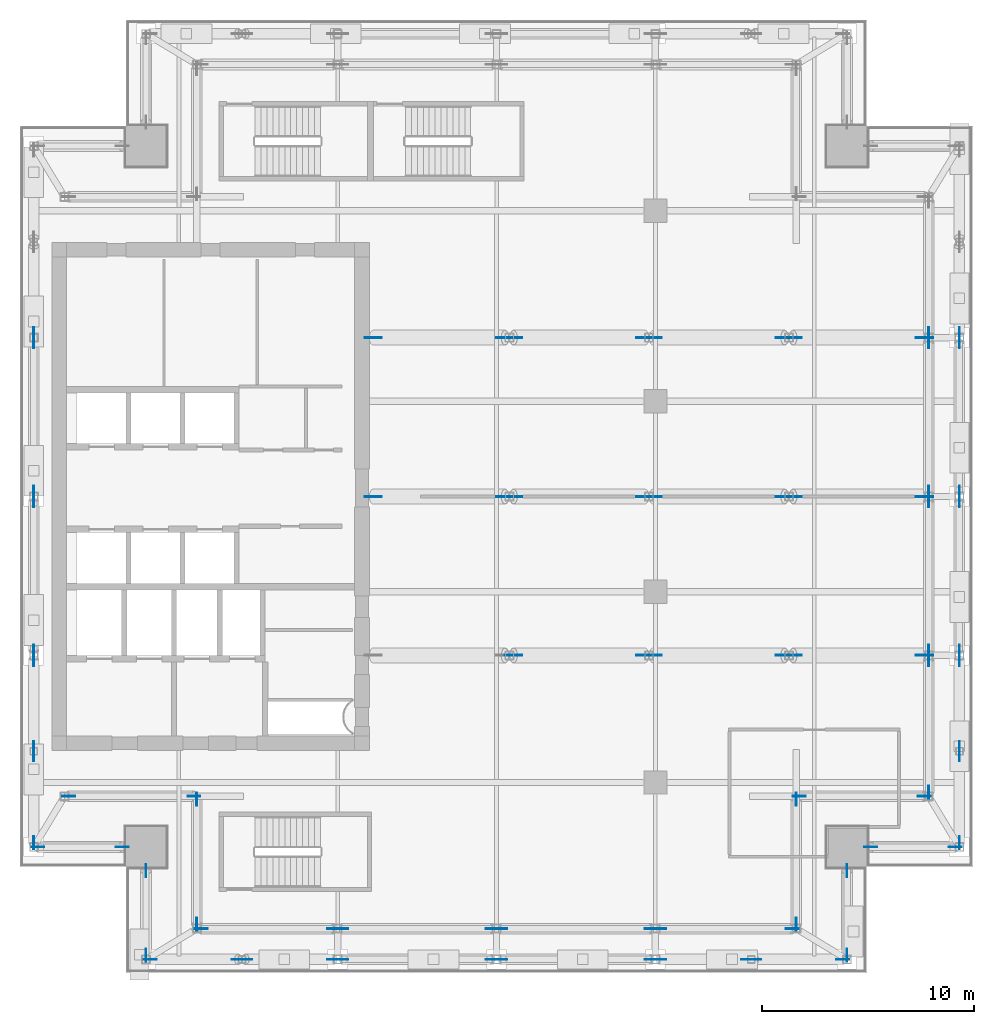
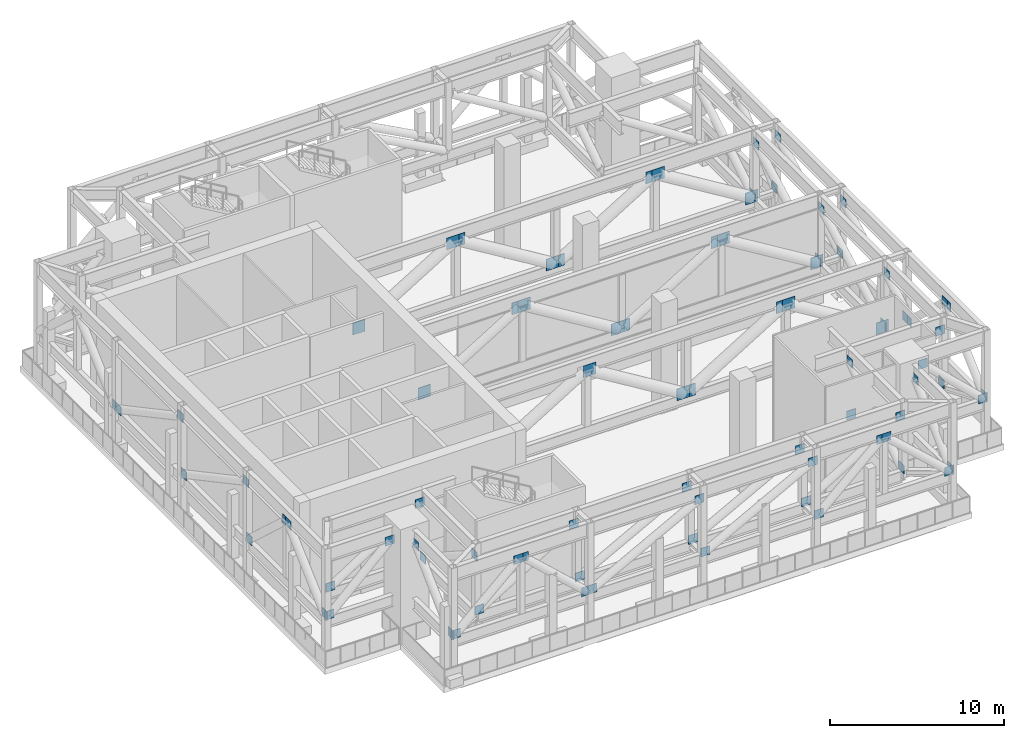
# One storey, part 10 of 15: 83 discrete accessories.
"""IFC4 building model written with IfcOpenShell, lengths in metres."""

from ifc_helpers import new_model, si_unit, direction, frame, origin, origin_2d, place, context, subcontext, project, spatial, rectangle, extrude, source, transform, mapped, material, layer, layer_set, type_object, element, save


model = new_model("IFC4")

# Units and contexts
model_context = context("Model", 3, precision=1e-05, world=origin(), true_north=direction((0.0, 1.0)))
body_context = subcontext(model_context, "Body", "Model", "MODEL_VIEW")
ifc_project = project(units=[si_unit("LENGTHUNIT", "METRE"), si_unit("AREAUNIT", "SQUARE_METRE"), si_unit("VOLUMEUNIT", "CUBIC_METRE"), si_unit("PLANEANGLEUNIT", "RADIAN"), si_unit("MASSUNIT", "GRAM", prefix="KILO")], contexts=[model_context])

# Site, building, storey
site_placement = place(None, origin())
site = spatial("IfcSite", under=ifc_project, at=site_placement, CompositionType="ELEMENT")
building_placement = place(site_placement, origin())
building = spatial("IfcBuilding", under=site, at=building_placement, Name="Khomas Fold Tower", CompositionType="ELEMENT")
storey_placement = place(building_placement, frame((0.0, 0.0, 274.199951171875)))
storey = spatial("IfcBuildingStorey", under=building, at=storey_placement, Name="L62", CompositionType="ELEMENT", Elevation=274.199951171875)

# Discrete accessories
ifc_material_1 = material(Name="Steel S355", Category="steel")
ifc_layer_1 = layer(ifc_material_1, 0.034912109375)
ifc_layer_set_1 = layer_set([ifc_layer_1], Name="Steel S355")
discrete_accessory_type_1 = type_object("IfcDiscreteAccessoryType", Name="Gusset plate 35 x 610 GP5", PredefinedType="BRACKET", material=ifc_layer_set_1)
shared_shape_1 = source(origin(), body_context, "Body", "SweptSolid", [
    extrude(rectangle(XDim=0.610107421875, YDim=0.034912109375, at=origin_2d()), origin(), (0.0, 0.0, 1.0), 0.610107421875),
])
for number, where, z_axis, x_axis, name in (
    (1, (5.14990234375, 10.64990234375, 2.64013671875), (0.0, 0.0, 1.0), (0.0, 1.0, 0.0), "Gusset plate BT4-D"),
    (2, (5.14990234375, 14.800048828125, 6.4501953125), (0.0, 0.0, 1.0), (0.0, 1.0, 0.0), "Gusset plate BT4-D"),
    (3, (5.14990234375, 15.14990234375, 6.4501953125), (0.0, 0.0, 1.0), (0.0, 1.0, 0.0), "Gusset plate BT4-D"),
    (4, (5.14990234375, 19.300048828125, 2.64013671875), (0.0, 0.0, 1.0), (0.0, 1.0, 0.0), "Gusset plate BT4-D"),
    (5, (5.14990234375, 19.699951171875, 6.4501953125), (0.0, 0.0, 1.0), (0.0, 1.0, 0.0), "Gusset plate BT4-D"),
    (6, (5.14990234375, 26.800048828125, 2.64013671875), (0.0, 0.0, 1.0), (0.0, 1.0, 0.0), "Gusset plate BT4-D"),
    (7, (5.14990234375, 27.199951171875, 6.4501953125), (0.0, 0.0, 1.0), (0.0, 1.0, 0.0), "Gusset plate BT4-D"),
    (8, (5.14990234375, 34.300048828125, 2.64013671875), (0.0, 0.0, 1.0), (0.0, 1.0, 0.0), "Gusset plate BT4-D"),
    (9, (5.14990234375, 34.699951171875, 2.64013671875), (0.0, 0.0, 1.0), (0.0, 1.0, 0.0), "Gusset plate BT4-D"),
    (10, (5.35009765625, 10.449951171875, 2.64013671875), (0.0, 0.0, 1.0), (1.0, 0.0, 0.0), "Gusset plate BT4-D"),
    (11, (6.800048828125, 12.85009765625, 2.64013671875), (0.0, 0.0, 1.0), (1.0, 0.0, 0.0), "Gusset plate BT4-D"),
    (12, (9.328369140625, 10.449951171875, 6.4501953125), (0.0, 0.0, 1.0), (1.0, 0.0, 0.0), "Gusset plate BT4-D"),
    (13, (10.449951171875, 5.35009765625, 2.64013671875), (0.0, 0.0, 1.0), (0.0, 1.0, 0.0), "Gusset plate BT4-D"),
    (14, (10.449951171875, 9.328369140625, 6.4501953125), (0.0, 0.0, 1.0), (0.0, 1.0, 0.0), "Gusset plate BT4-D"),
    (15, (10.64990234375, 5.14990234375, 2.64013671875), (0.0, 0.0, 1.0), (1.0, 0.0, 0.0), "Gusset plate BT4-D"),
    (16, (12.71484375, 12.85009765625, 6.4501953125), (0.0, 0.0, 1.0), (1.0, 0.0, 0.0), "Gusset plate BT4-D"),
    (17, (12.85009765625, 6.800048828125, 6.4501953125), (0.0, 0.0, 1.0), (0.0, 1.0, 0.0), "Gusset plate BT4-D"),
    (18, (12.85009765625, 12.699951171875, 2.64013671875), (0.0, 0.0, 1.0), (0.0, 1.0, 0.0), "Gusset plate BT4-D"),
    (19, (13.050048828125, 6.60009765625, 2.64013671875), (0.0, 0.0, 1.0), (1.0, 0.0, 0.0), "Gusset plate BT4-D"),
    (20, (14.800048828125, 5.14990234375, 6.4501953125), (0.0, 0.0, 1.0), (1.0, 0.0, 0.0), "Gusset plate BT4-D"),
    (21, (15.14990234375, 5.14990234375, 6.4501953125), (0.0, 0.0, 1.0), (1.0, 0.0, 0.0), "Gusset plate BT4-D"),
    (22, (19.300048828125, 5.14990234375, 2.64013671875), (0.0, 0.0, 1.0), (1.0, 0.0, 0.0), "Gusset plate BT4-D"),
    (23, (19.300048828125, 6.60009765625, 6.4501953125), (0.0, 0.0, 1.0), (1.0, 0.0, 0.0), "Gusset plate BT4-D"),
    (24, (19.699951171875, 5.14990234375, 2.64013671875), (0.0, 0.0, 1.0), (1.0, 0.0, 0.0), "Gusset plate BT4-D"),
    (25, (19.699951171875, 6.60009765625, 2.64013671875), (0.0, 0.0, 1.0), (1.0, 0.0, 0.0), "Gusset plate BT4-D"),
    (26, (26.800048828125, 5.14990234375, 6.4501953125), (0.0, 0.0, 1.0), (1.0, 0.0, 0.0), "Gusset plate BT4-D"),
    (27, (26.800048828125, 6.60009765625, 6.4501953125), (0.0, 0.0, 1.0), (1.0, 0.0, 0.0), "Gusset plate BT4-D"),
    (28, (27.199951171875, 5.14990234375, 2.64013671875), (0.0, 0.0, 1.0), (1.0, 0.0, 0.0), "Gusset plate BT4-D"),
    (29, (27.199951171875, 6.60009765625, 2.64013671875), (0.0, 0.0, 1.0), (1.0, 0.0, 0.0), "Gusset plate BT4-D"),
    (30, (34.300048828125, 5.14990234375, 6.4501953125), (0.0, 0.0, 1.0), (1.0, 0.0, 0.0), "Gusset plate BT4-D"),
    (31, (34.300048828125, 6.60009765625, 6.4501953125), (0.0, 0.0, 1.0), (1.0, 0.0, 0.0), "Gusset plate BT4-D"),
    (32, (34.699951171875, 5.14990234375, 2.64013671875), (0.0, 0.0, 1.0), (1.0, 0.0, 0.0), "Gusset plate BT4-D"),
    (33, (34.699951171875, 6.60009765625, 2.64013671875), (0.0, 0.0, 1.0), (1.0, 0.0, 0.0), "Gusset plate BT4-D"),
    (34, (38.85009765625, 5.14990234375, 6.4501953125), (0.0, 0.0, 1.0), (1.0, 0.0, 0.0), "Gusset plate BT4-D"),
    (35, (39.199951171875, 5.14990234375, 6.4501953125), (0.0, 0.0, 1.0), (1.0, 0.0, 0.0), "Gusset plate BT4-D"),
    (36, (40.949951171875, 6.60009765625, 6.4501953125), (0.0, 0.0, 1.0), (1.0, 0.0, 0.0), "Gusset plate BT4-D"),
    (37, (41.14990234375, 6.800048828125, 2.64013671875), (0.0, 0.0, 1.0), (0.0, 1.0, 0.0), "Gusset plate BT4-D"),
    (38, (41.14990234375, 12.71484375, 6.4501953125), (0.0, 0.0, 1.0), (0.0, 1.0, 0.0), "Gusset plate BT4-D"),
    (39, (41.300048828125, 12.85009765625, 2.64013671875), (0.0, 0.0, 1.0), (1.0, 0.0, 0.0), "Gusset plate BT4-D"),
    (40, (43.35009765625, 5.14990234375, 2.64013671875), (0.0, 0.0, 1.0), (1.0, 0.0, 0.0), "Gusset plate BT4-D"),
    (41, (43.550048828125, 5.35009765625, 2.64013671875), (0.0, 0.0, 1.0), (0.0, 1.0, 0.0), "Gusset plate BT4-D"),
    (42, (43.550048828125, 9.328369140625, 6.4501953125), (0.0, 0.0, 1.0), (0.0, 1.0, 0.0), "Gusset plate BT4-D"),
    (43, (44.671630859375, 10.449951171875, 6.4501953125), (0.0, 0.0, 1.0), (1.0, 0.0, 0.0), "Gusset plate BT4-D"),
    (44, (47.199951171875, 12.85009765625, 6.4501953125), (0.0, 0.0, 1.0), (1.0, 0.0, 0.0), "Gusset plate BT4-D"),
    (45, (47.39990234375, 13.050048828125, 2.64013671875), (0.0, 0.0, 1.0), (0.0, 1.0, 0.0), "Gusset plate BT4-D"),
    (46, (47.39990234375, 19.300048828125, 6.4501953125), (0.0, 0.0, 1.0), (0.0, 1.0, 0.0), "Gusset plate BT4-D"),
    (47, (47.39990234375, 19.699951171875, 2.64013671875), (0.0, 0.0, 1.0), (0.0, 1.0, 0.0), "Gusset plate BT4-D"),
    (48, (47.39990234375, 26.800048828125, 6.4501953125), (0.0, 0.0, 1.0), (0.0, 1.0, 0.0), "Gusset plate BT4-D"),
    (49, (47.39990234375, 27.199951171875, 2.64013671875), (0.0, 0.0, 1.0), (0.0, 1.0, 0.0), "Gusset plate BT4-D"),
    (50, (47.39990234375, 34.300048828125, 6.4501953125), (0.0, 0.0, 1.0), (0.0, 1.0, 0.0), "Gusset plate BT4-D"),
    (51, (47.39990234375, 34.699951171875, 2.64013671875), (0.0, 0.0, 1.0), (0.0, 1.0, 0.0), "Gusset plate BT4-D"),
    (52, (48.64990234375, 10.449951171875, 2.64013671875), (0.0, 0.0, 1.0), (1.0, 0.0, 0.0), "Gusset plate BT4-D"),
    (53, (48.85009765625, 10.64990234375, 2.64013671875), (0.0, 0.0, 1.0), (0.0, 1.0, 0.0), "Gusset plate BT4-D"),
    (54, (48.85009765625, 14.800048828125, 6.4501953125), (0.0, 0.0, 1.0), (0.0, 1.0, 0.0), "Gusset plate BT4-D"),
    (55, (48.85009765625, 15.14990234375, 6.4501953125), (0.0, 0.0, 1.0), (0.0, 1.0, 0.0), "Gusset plate BT4-D"),
    (56, (48.85009765625, 19.300048828125, 2.64013671875), (0.0, 0.0, 1.0), (0.0, 1.0, 0.0), "Gusset plate BT4-D"),
    (57, (48.85009765625, 19.699951171875, 2.64013671875), (0.0, 0.0, 1.0), (0.0, 1.0, 0.0), "Gusset plate BT4-D"),
    (58, (48.85009765625, 26.800048828125, 6.4501953125), (0.0, 0.0, 1.0), (0.0, 1.0, 0.0), "Gusset plate BT4-D"),
    (59, (48.85009765625, 27.199951171875, 2.64013671875), (0.0, 0.0, 1.0), (0.0, 1.0, 0.0), "Gusset plate BT4-D"),
    (60, (48.85009765625, 34.300048828125, 6.4501953125), (0.0, 0.0, 1.0), (0.0, 1.0, 0.0), "Gusset plate BT4-D"),
    (61, (48.85009765625, 34.699951171875, 2.64013671875), (0.0, 0.0, 1.0), (0.0, 1.0, 0.0), "Gusset plate BT4-D"),
):
    element("IfcDiscreteAccessory", number, at=place(storey_placement, frame(where, z_axis=z_axis, x_axis=x_axis)), inside=storey, type_object=discrete_accessory_type_1, Name=name, PredefinedType="BRACKET", context=body_context, shape_type="MappedRepresentation", body=[
        mapped(shared_shape_1, transform((0.0, 0.0, 0.0))),
    ])
ifc_material_2 = material(Name="Steel S355", Category="steel")
ifc_layer_2 = layer(ifc_material_2, 0.044921875)
ifc_layer_set_2 = layer_set([ifc_layer_2], Name="Steel S355")
discrete_accessory_type_2 = type_object("IfcDiscreteAccessoryType", Name="Gusset plate 45 x 820 GP7", PredefinedType="BRACKET", material=ifc_layer_set_2)
shared_shape_2 = source(origin(), body_context, "Body", "SweptSolid", [
    extrude(rectangle(XDim=0.820068359375, YDim=0.044921875, at=origin_2d()), origin(), (0.0, 0.0, 1.0), 0.820068359375),
])
for number, where, z_axis, x_axis, name in (
    (62, (21.1806640625, 27.0, 2.548828125), (0.0, 0.0, 1.0), (1.0, 0.0, 0.0), "Gusset plate OR3-D"),
    (63, (21.1806640625, 34.5, 2.548828125), (0.0, 0.0, 1.0), (1.0, 0.0, 0.0), "Gusset plate OR3-D"),
    (64, (27.39990234375, 27.0, 6.3369140625), (0.0, 0.0, 1.0), (1.0, 0.0, 0.0), "Gusset plate OR3-D"),
    (65, (27.39990234375, 34.5, 6.3369140625), (0.0, 0.0, 1.0), (1.0, 0.0, 0.0), "Gusset plate OR3-D"),
    (66, (27.800048828125, 19.5, 6.3369140625), (0.0, 0.0, 1.0), (1.0, 0.0, 0.0), "Gusset plate OR3-D"),
    (67, (27.800048828125, 27.0, 6.3369140625), (0.0, 0.0, 1.0), (1.0, 0.0, 0.0), "Gusset plate OR3-D"),
    (68, (27.800048828125, 34.5, 6.3369140625), (0.0, 0.0, 1.0), (1.0, 0.0, 0.0), "Gusset plate OR3-D"),
    (69, (34.0, 19.5, 2.548828125), (0.0, 0.0, 1.0), (1.0, 0.0, 0.0), "Gusset plate OR3-D"),
    (70, (34.0, 27.0, 2.548828125), (0.0, 0.0, 1.0), (1.0, 0.0, 0.0), "Gusset plate OR3-D"),
    (71, (34.0, 34.5, 2.548828125), (0.0, 0.0, 1.0), (1.0, 0.0, 0.0), "Gusset plate OR3-D"),
    (72, (34.39990234375, 19.5, 2.548828125), (0.0, 0.0, 1.0), (1.0, 0.0, 0.0), "Gusset plate OR3-D"),
    (73, (34.39990234375, 27.0, 2.548828125), (0.0, 0.0, 1.0), (1.0, 0.0, 0.0), "Gusset plate OR3-D"),
    (74, (34.39990234375, 34.5, 2.548828125), (0.0, 0.0, 1.0), (1.0, 0.0, 0.0), "Gusset plate OR3-D"),
    (75, (40.60009765625, 19.5, 6.3369140625), (0.0, 0.0, 1.0), (1.0, 0.0, 0.0), "Gusset plate OR3-D"),
    (76, (40.60009765625, 27.0, 6.3369140625), (0.0, 0.0, 1.0), (1.0, 0.0, 0.0), "Gusset plate OR3-D"),
    (77, (40.60009765625, 34.5, 6.3369140625), (0.0, 0.0, 1.0), (1.0, 0.0, 0.0), "Gusset plate OR3-D"),
    (78, (41.0, 19.5, 6.3369140625), (0.0, 0.0, 1.0), (1.0, 0.0, 0.0), "Gusset plate OR3-D"),
    (79, (41.0, 27.0, 6.3369140625), (0.0, 0.0, 1.0), (1.0, 0.0, 0.0), "Gusset plate OR3-D"),
    (80, (41.0, 34.5, 6.3369140625), (0.0, 0.0, 1.0), (1.0, 0.0, 0.0), "Gusset plate OR3-D"),
    (81, (47.199951171875, 19.5, 2.548828125), (0.0, 0.0, 1.0), (1.0, 0.0, 0.0), "Gusset plate OR3-D"),
    (82, (47.199951171875, 27.0, 2.548828125), (0.0, 0.0, 1.0), (1.0, 0.0, 0.0), "Gusset plate OR3-D"),
    (83, (47.199951171875, 34.5, 2.548828125), (0.0, 0.0, 1.0), (1.0, 0.0, 0.0), "Gusset plate OR3-D"),
):
    element("IfcDiscreteAccessory", number, at=place(storey_placement, frame(where, z_axis=z_axis, x_axis=x_axis)), inside=storey, type_object=discrete_accessory_type_2, Name=name, PredefinedType="BRACKET", context=body_context, shape_type="MappedRepresentation", body=[
        mapped(shared_shape_2, transform((0.0, 0.0, 0.0))),
    ])

save(model, "model.ifc")
